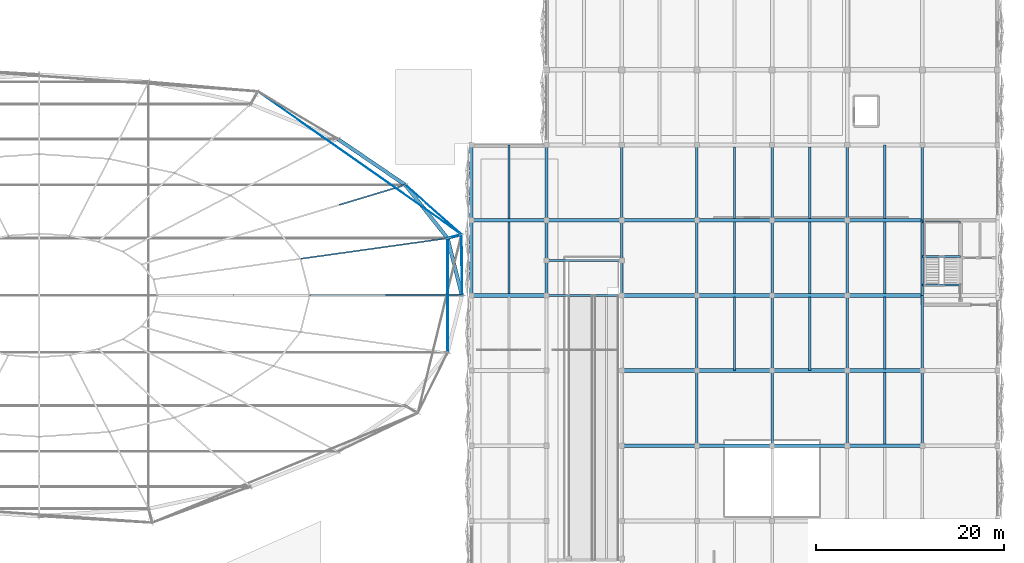
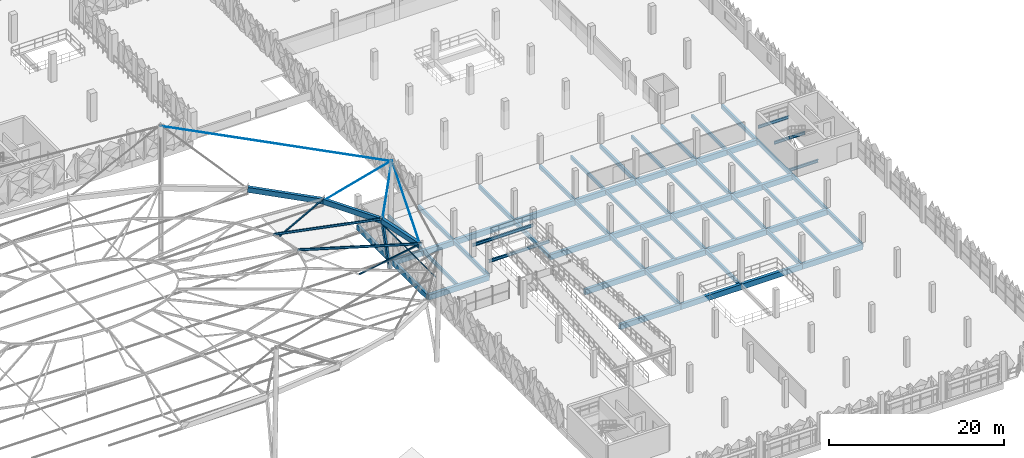
# One storey, part 25 of 96: 63 beams, 8 members.
"""IFC4 building model written with IfcOpenShell, lengths in metres."""

from ifc_helpers import new_model, si_unit, derived_unit, direction, frame, origin, origin_2d, place, context, subcontext, project, spatial, rectangle, hollow_rectangle, circle, i_section, extrude, material, material_profile, profile_set, type_object, element, save


model = new_model("IFC4")

# Units and contexts
model_context = context("Model", 3, precision=1e-05, world=origin(), true_north=direction((0.0, 1.0)))
body_context = subcontext(model_context, "Body", "Model", "MODEL_VIEW")
ifc_project = project(units=[si_unit("LENGTHUNIT", "METRE"), si_unit("AREAUNIT", "SQUARE_METRE"), si_unit("VOLUMEUNIT", "CUBIC_METRE"), si_unit("PLANEANGLEUNIT", "RADIAN"), si_unit("MASSUNIT", "GRAM", prefix="KILO"), si_unit("THERMODYNAMICTEMPERATUREUNIT", "KELVIN"), derived_unit("THERMALTRANSMITTANCEUNIT", [(si_unit("POWERUNIT", "WATT"), 1), (si_unit("AREAUNIT", "SQUARE_METRE"), -1), (si_unit("THERMODYNAMICTEMPERATUREUNIT", "KELVIN"), -1)])], contexts=[model_context])

# Site, building, storey
site_placement = place(None, origin())
site = spatial("IfcSite", under=ifc_project, at=site_placement, CompositionType="ELEMENT")
building_placement = place(site_placement, origin())
building = spatial("IfcBuilding", under=site, at=building_placement, Name="Haiyu Intermodal Mobility Hub", CompositionType="ELEMENT")
storey_placement = place(building_placement, frame((0.0, 0.0, 9.5)))
storey = spatial("IfcBuildingStorey", under=building, at=storey_placement, Name="L02", CompositionType="ELEMENT", Elevation=9.5)

# Beams
ifc_material_1 = material(Name="Concrete C40", Category="concrete")
ifc_material_profile_1 = material_profile(ifc_material_1, rectangle(XDim=0.39990234375, YDim=0.75, at=origin_2d()), Name="RCB400x750")
ifc_profile_set_1 = profile_set([ifc_material_profile_1], Name="Concrete C40")
beam_type_1 = type_object("IfcBeamType", Name="BM-CB03", PredefinedType="BEAM", material=ifc_profile_set_1)
for number, where, z_axis, x_axis, name in (
    (1, (170.0, 48.0, -0.635009765625), (1.0, 0.0, 0.0), (0.0, 1.0, 0.0), "BM-V5G-L02-030"),
    (2, (178.0, 48.0, -0.635009765625), (1.0, 0.0, 0.0), (0.0, 1.0, 0.0), "BM-V5G-L02-031"),
    (3, (186.0, 48.0, -0.635009765625), (1.0, 0.0, 0.0), (0.0, 1.0, 0.0), "BM-V5G-L02-032"),
    (4, (194.0, 48.0, -0.635009765625), (1.0, 0.0, 0.0), (0.0, 1.0, 0.0), "BM-V5G-L02-033"),
    (5, (170.0, 56.0, -0.635009765625), (1.0, 0.0, 0.0), (0.0, 1.0, 0.0), "BM-V5G-L02-037"),
    (6, (178.0, 56.0, -0.635009765625), (1.0, 0.0, 0.0), (0.0, 1.0, 0.0), "BM-V5G-L02-038"),
    (7, (186.0, 56.0, -0.635009765625), (1.0, 0.0, 0.0), (0.0, 1.0, 0.0), "BM-V5G-L02-039"),
    (8, (194.0, 56.0, -0.635009765625), (1.0, 0.0, 0.0), (0.0, 1.0, 0.0), "BM-V5G-L02-040"),
    (9, (154.0, 64.0, -0.635009765625), (1.0, 0.0, 0.0), (0.0, 1.0, 0.0), "BM-V5G-L02-042"),
    (10, (170.0, 64.0, -0.635009765625), (1.0, 0.0, 0.0), (0.0, 1.0, 0.0), "BM-V5G-L02-044"),
    (11, (178.0, 64.0, -0.635009765625), (1.0, 0.0, 0.0), (0.0, 1.0, 0.0), "BM-V5G-L02-045"),
    (12, (186.0, 64.0, -0.635009765625), (1.0, 0.0, 0.0), (0.0, 1.0, 0.0), "BM-V5G-L02-046"),
    (13, (194.0, 64.0, -0.635009765625), (1.0, 0.0, 0.0), (0.0, 1.0, 0.0), "BM-V5G-L02-047"),
    (14, (154.0, 72.0, -0.635009765625), (1.0, 0.0, 0.0), (0.0, 1.0, 0.0), "BM-V5G-L02-049"),
    (15, (162.0, 72.0, -0.635009765625), (1.0, 0.0, 0.0), (0.0, 1.0, 0.0), "BM-V5G-L02-050"),
    (16, (170.0, 72.0, -0.635009765625), (1.0, 0.0, 0.0), (0.0, 1.0, 0.0), "BM-V5G-L02-051"),
    (17, (178.0, 72.0, -0.635009765625), (1.0, 0.0, 0.0), (0.0, 1.0, 0.0), "BM-V5G-L02-052"),
    (18, (186.0, 72.0, -0.635009765625), (1.0, 0.0, 0.0), (0.0, 1.0, 0.0), "BM-V5G-L02-053"),
    (19, (194.0, 72.0, -0.635009765625), (1.0, 0.0, 0.0), (0.0, 1.0, 0.0), "BM-V5G-L02-054"),
):
    element("IfcBeam", number, at=place(storey_placement, frame(where, z_axis=z_axis, x_axis=x_axis)), inside=storey, type_object=beam_type_1, Name=name, PredefinedType="BEAM", context=body_context, shape_type="SweptSolid", body=[
        extrude(rectangle(XDim=0.39990234375, YDim=0.75, at=origin_2d()), origin(), (0.0, 0.0, 1.0), 8.0),
    ])
ifc_material_profile_2 = material_profile(ifc_material_1, rectangle(XDim=0.35009765625, YDim=0.699951171875, at=origin_2d()), Name="RCB350x700")
ifc_profile_set_2 = profile_set([ifc_material_profile_2], Name="Concrete C40")
beam_type_2 = type_object("IfcBeamType", Name="BM-CB06", PredefinedType="BEAM", material=ifc_profile_set_2)
for number, where, z_axis, x_axis, name in (
    (20, (154.0, 64.0, -0.610107421875), (0.0, 1.0, 0.0), (-1.0, 0.0, 0.0), "BM-V5T-L02-007"),
    (21, (154.0, 72.0, -0.610107421875), (0.0, 1.0, 0.0), (-1.0, 0.0, 0.0), "BM-V5T-L02-008"),
):
    element("IfcBeam", number, at=place(storey_placement, frame(where, z_axis=z_axis, x_axis=x_axis)), inside=storey, type_object=beam_type_2, Name=name, PredefinedType="BEAM", context=body_context, shape_type="SweptSolid", body=[
        extrude(rectangle(XDim=0.35009765625, YDim=0.699951171875, at=origin_2d()), origin(), (0.0, 0.0, 1.0), 8.0),
    ])
ifc_material_profile_3 = material_profile(ifc_material_1, rectangle(XDim=0.280029296875, YDim=0.5400390625, at=origin_2d()), Name="RCB280x540")
ifc_profile_set_3 = profile_set([ifc_material_profile_3], Name="Concrete C40")
beam_type_3 = type_object("IfcBeamType", Name="BM-CB08", PredefinedType="JOIST", material=ifc_profile_set_3)
for number, where, z_axis, x_axis, name in (
    (22, (162.0, 64.0, -0.530029296875), (0.0, 1.0, 0.0), (-1.0, 0.0, 0.0), "BM-V5T-L02-015"),
    (23, (162.0, 72.0, -0.530029296875), (0.0, 1.0, 0.0), (-1.0, 0.0, 0.0), "BM-V5T-L02-016"),
    (24, (170.0, 64.0, -0.530029296875), (0.0, 1.0, 0.0), (-1.0, 0.0, 0.0), "BM-V5T-L02-023"),
    (25, (170.0, 72.0, -0.530029296875), (0.0, 1.0, 0.0), (-1.0, 0.0, 0.0), "BM-V5T-L02-024"),
    (26, (178.0, 48.0, -0.530029296875), (0.0, 1.0, 0.0), (-1.0, 0.0, 0.0), "BM-V5T-L02-029"),
    (27, (178.0, 56.0, -0.530029296875), (0.0, 1.0, 0.0), (-1.0, 0.0, 0.0), "BM-V5T-L02-030"),
    (28, (178.0, 64.0, -0.530029296875), (0.0, 1.0, 0.0), (-1.0, 0.0, 0.0), "BM-V5T-L02-031"),
    (29, (178.0, 72.0, -0.530029296875), (0.0, 1.0, 0.0), (-1.0, 0.0, 0.0), "BM-V5T-L02-032"),
    (30, (186.0, 48.0, -0.530029296875), (0.0, 1.0, 0.0), (-1.0, 0.0, 0.0), "BM-V5T-L02-037"),
    (31, (186.0, 56.0, -0.530029296875), (0.0, 1.0, 0.0), (-1.0, 0.0, 0.0), "BM-V5T-L02-038"),
    (32, (186.0, 64.0, -0.530029296875), (0.0, 1.0, 0.0), (-1.0, 0.0, 0.0), "BM-V5T-L02-039"),
    (33, (186.0, 72.0, -0.530029296875), (0.0, 1.0, 0.0), (-1.0, 0.0, 0.0), "BM-V5T-L02-040"),
    (34, (194.0, 48.0, -0.530029296875), (0.0, 1.0, 0.0), (-1.0, 0.0, 0.0), "BM-V5T-L02-045"),
    (35, (194.0, 56.0, -0.530029296875), (0.0, 1.0, 0.0), (-1.0, 0.0, 0.0), "BM-V5T-L02-046"),
    (36, (194.0, 64.0, -0.530029296875), (0.0, 1.0, 0.0), (-1.0, 0.0, 0.0), "BM-V5T-L02-047"),
    (37, (194.0, 72.0, -0.530029296875), (0.0, 1.0, 0.0), (-1.0, 0.0, 0.0), "BM-V5T-L02-048"),
    (38, (202.0, 48.0, -0.530029296875), (0.0, 1.0, 0.0), (-1.0, 0.0, 0.0), "BM-V5T-L02-053"),
    (39, (202.0, 56.0, -0.530029296875), (0.0, 1.0, 0.0), (-1.0, 0.0, 0.0), "BM-V5T-L02-054"),
    (40, (202.0, 64.0, -0.530029296875), (0.0, 1.0, 0.0), (-1.0, 0.0, 0.0), "BM-V5T-L02-055"),
    (41, (202.0, 72.0, -0.530029296875), (0.0, 1.0, 0.0), (-1.0, 0.0, 0.0), "BM-V5T-L02-056"),
):
    element("IfcBeam", number, at=place(storey_placement, frame(where, z_axis=z_axis, x_axis=x_axis)), inside=storey, type_object=beam_type_3, Name=name, PredefinedType="JOIST", context=body_context, shape_type="SweptSolid", body=[
        extrude(rectangle(XDim=0.280029296875, YDim=0.5400390625, at=origin_2d()), origin(), (0.0, 0.0, 1.0), 8.0),
    ])
ifc_material_profile_4 = material_profile(ifc_material_1, rectangle(XDim=0.25, YDim=0.47998046875, at=origin_2d()), Name="RCB250x480")
ifc_profile_set_4 = profile_set([ifc_material_profile_4], Name="Concrete C40")
beam_type_4 = type_object("IfcBeamType", Name="BM-CB09", PredefinedType="JOIST", material=ifc_profile_set_4)
beam_1_placement = place(storey_placement, frame((158.0, 64.18505859375, -0.5), z_axis=(0.0, 1.0, 0.0), x_axis=(-1.0, 0.0, 0.0)))
element("IfcBeam", 42, at=beam_1_placement, inside=storey, type_object=beam_type_4, Name="BM-V5J-L02-007", PredefinedType="JOIST", context=body_context, shape_type="SweptSolid", body=[
    extrude(rectangle(XDim=0.25, YDim=0.47998046875, at=origin_2d()), origin(), (0.0, 0.0, 1.0), 7.6298828125),
])
for number, where, z_axis, x_axis, name in (
    (43, (158.0, 72.18505859375, -0.5), (0.0, 1.0, 0.0), (-1.0, 0.0, 0.0), "BM-V5J-L02-008"),
    (44, (182.0, 56.0, -0.5), (0.0, 1.0, 0.0), (-1.0, 0.0, 0.0), "BM-V5J-L02-012"),
):
    element("IfcBeam", number, at=place(storey_placement, frame(where, z_axis=z_axis, x_axis=x_axis)), inside=storey, type_object=beam_type_4, Name=name, PredefinedType="JOIST", context=body_context, shape_type="SweptSolid", body=[
        extrude(rectangle(XDim=0.25, YDim=0.47998046875, at=origin_2d()), origin(), (0.0, 0.0, 1.0), 7.81494140625),
    ])
for number, where, z_axis, x_axis, name in (
    (45, (182.0, 64.18505859375, -0.5), (0.0, 1.0, 0.0), (-1.0, 0.0, 0.0), "BM-V5J-L02-013"),
    (46, (182.0, 72.18505859375, -0.5), (0.0, 1.0, 0.0), (-1.0, 0.0, 0.0), "BM-V5J-L02-014"),
):
    element("IfcBeam", number, at=place(storey_placement, frame(where, z_axis=z_axis, x_axis=x_axis)), inside=storey, type_object=beam_type_4, Name=name, PredefinedType="JOIST", context=body_context, shape_type="SweptSolid", body=[
        extrude(rectangle(XDim=0.25, YDim=0.47998046875, at=origin_2d()), origin(), (0.0, 0.0, 1.0), 7.6298828125),
    ])
beam_2_placement = place(storey_placement, frame((190.0, 56.0, -0.5), z_axis=(0.0, 1.0, 0.0), x_axis=(-1.0, 0.0, 0.0)))
element("IfcBeam", 47, at=beam_2_placement, inside=storey, type_object=beam_type_4, Name="BM-V5J-L02-018", PredefinedType="JOIST", context=body_context, shape_type="SweptSolid", body=[
    extrude(rectangle(XDim=0.25, YDim=0.47998046875, at=origin_2d()), origin(), (0.0, 0.0, 1.0), 7.81494140625),
])
for number, where, z_axis, x_axis, name in (
    (48, (190.0, 64.18505859375, -0.5), (0.0, 1.0, 0.0), (-1.0, 0.0, 0.0), "BM-V5J-L02-019"),
    (49, (190.0, 72.18505859375, -0.5), (0.0, 1.0, 0.0), (-1.0, 0.0, 0.0), "BM-V5J-L02-020"),
    (50, (198.0, 48.18505859375, -0.5), (0.0, 1.0, 0.0), (-1.0, 0.0, 0.0), "BM-V5J-L02-025"),
    (51, (198.0, 56.18505859375, -0.5), (0.0, 1.0, 0.0), (-1.0, 0.0, 0.0), "BM-V5J-L02-026"),
    (52, (198.0, 64.18505859375, -0.5), (0.0, 1.0, 0.0), (-1.0, 0.0, 0.0), "BM-V5J-L02-027"),
):
    element("IfcBeam", number, at=place(storey_placement, frame(where, z_axis=z_axis, x_axis=x_axis)), inside=storey, type_object=beam_type_4, Name=name, PredefinedType="JOIST", context=body_context, shape_type="SweptSolid", body=[
        extrude(rectangle(XDim=0.25, YDim=0.47998046875, at=origin_2d()), origin(), (0.0, 0.0, 1.0), 7.6298828125),
    ])
beam_3_placement = place(storey_placement, frame((198.0, 72.18505859375, -0.5), z_axis=(0.0, 1.0, 0.0), x_axis=(-1.0, 0.0, 0.0)))
element("IfcBeam", 53, at=beam_3_placement, inside=storey, type_object=beam_type_4, Name="BM-V5J-L02-028", PredefinedType="JOIST", context=body_context, shape_type="SweptSolid", body=[
    extrude(rectangle(XDim=0.25, YDim=0.47998046875, at=origin_2d()), origin(), (0.0, 0.0, 1.0), 7.81494140625),
])
ifc_material_2 = material(Name="Steel Q355C", Category="steel")
ifc_material_profile_5 = material_profile(ifc_material_2, hollow_rectangle(XDim=0.39990234375, YDim=0.699951171875, WallThickness=0.02197265625, at=origin_2d()), Name="RHS700x400x22")
ifc_profile_set_5 = profile_set([ifc_material_profile_5], Name="Steel Q355C")
beam_type_5 = type_object("IfcBeamType", Name="BM-SB01", PredefinedType="BEAM", material=ifc_profile_set_5)
beam_4_placement = place(storey_placement, frame((153.0, 64.0, 6.89990234375), z_axis=(-0.244082052934, 0.968398168927, 0.051273168947), x_axis=(-0.969673613579, -0.244403525195, 0.0)))
element("IfcBeam", 54, at=beam_4_placement, inside=storey, type_object=beam_type_5, Name="Compression Ring Chord RB-01", PredefinedType="BEAM", context=body_context, shape_type="SweptSolid", body=[
    extrude(hollow_rectangle(XDim=0.39990234375, YDim=0.699951171875, WallThickness=0.02197265625, at=origin_2d()), origin(), (0.0, 0.0, 1.0), 6.280517578125),
])
beam_5_placement = place(storey_placement, frame((151.467041015625, 70.08203125, 7.221923828125), z_axis=(-0.616934937857, 0.777734661017, 0.120499292543), x_axis=(-0.783443288642, -0.621463284098, 0.0)))
element("IfcBeam", 55, at=beam_5_placement, inside=storey, type_object=beam_type_5, Name="Compression Ring Chord RB-02", PredefinedType="BEAM", context=body_context, shape_type="SweptSolid", body=[
    extrude(hollow_rectangle(XDim=0.39990234375, YDim=0.699951171875, WallThickness=0.02197265625, at=origin_2d()), origin(), (0.0, 0.0, 1.0), 7.287841796875),
])
beam_6_placement = place(storey_placement, frame((146.970947265625, 75.75, 8.10009765625), z_axis=(-0.818851357325, 0.557316552006, 0.137407115782), x_axis=(-0.562653513917, -0.826692822805, 0.0)))
element("IfcBeam", 56, at=beam_6_placement, inside=storey, type_object=beam_type_5, Name="Compression Ring Chord RB-03", PredefinedType="BEAM", context=body_context, shape_type="SweptSolid", body=[
    extrude(hollow_rectangle(XDim=0.39990234375, YDim=0.699951171875, WallThickness=0.02197265625, at=origin_2d()), origin(), (0.0, 0.0, 1.0), 8.73291015625),
])
ifc_material_profile_6 = material_profile(ifc_material_2, i_section(OverallWidth=0.199951171875, OverallDepth=0.39990234375, WebThickness=0.008056640625, FlangeThickness=0.012939453125, FilletRadius=0.01611328125, at=origin_2d()), Name="HN400x200x8x13")
ifc_profile_set_6 = profile_set([ifc_material_profile_6], Name="Steel Q355C")
beam_type_6 = type_object("IfcBeamType", Name="BM-SB08", PredefinedType="JOIST", material=ifc_profile_set_6)
for number, where, z_axis, x_axis, name in (
    (57, (162.0, 64.0, 1.5400390625), (1.0, 0.0, 0.0), (0.0, 1.0, 0.0), "BM-BRMP1-L02"),
    (58, (162.0, 67.699951171875, 1.5400390625), (1.0, 0.0, 0.0), (0.0, 1.0, 0.0), "BM-BRMP2-L02"),
):
    element("IfcBeam", number, at=place(storey_placement, frame(where, z_axis=z_axis, x_axis=x_axis)), inside=storey, type_object=beam_type_6, Name=name, PredefinedType="JOIST", context=body_context, shape_type="SweptSolid", body=[
        extrude(i_section(OverallWidth=0.199951171875, OverallDepth=0.39990234375, WebThickness=0.008056640625, FlangeThickness=0.012939453125, FilletRadius=0.01611328125, at=origin_2d()), origin(), (0.0, 0.0, 1.0), 8.0),
    ])
for number, where, z_axis, x_axis, name in (
    (59, (202.0, 65.10009765625, -0.52490234375), (1.0, 0.0, 0.0), (0.0, 1.0, 0.0), "Stair Arrival Trimmer Beam C9-L01"),
    (60, (202.0, 68.1298828125, 1.52490234375), (1.0, 0.0, 0.0), (0.0, 1.0, 0.0), "Stair Half-Landing Front Beam C9-L02"),
    (61, (202.0, 71.780029296875, 1.52490234375), (1.0, 0.0, 0.0), (0.0, 1.0, 0.0), "Stair Half-Landing Rear Beam C9-L02"),
):
    element("IfcBeam", number, at=place(storey_placement, frame(where, z_axis=z_axis, x_axis=x_axis)), inside=storey, type_object=beam_type_6, Name=name, PredefinedType="JOIST", context=body_context, shape_type="SweptSolid", body=[
        extrude(i_section(OverallWidth=0.199951171875, OverallDepth=0.39990234375, WebThickness=0.008056640625, FlangeThickness=0.012939453125, FilletRadius=0.01611328125, at=origin_2d()), origin(), (0.0, 0.0, 1.0), 4.050048828125),
    ])
ifc_material_profile_7 = material_profile(ifc_material_2, i_section(OverallWidth=0.14990234375, OverallDepth=0.300048828125, WebThickness=0.006591796875, FlangeThickness=0.009033203125, FilletRadius=0.012939453125, at=origin_2d()), Name="HN300x150x6.5x9")
ifc_profile_set_7 = profile_set([ifc_material_profile_7], Name="Steel Q355C")
beam_type_7 = type_object("IfcBeamType", Name="BM-SB10-INT", PredefinedType="JOIST", material=ifc_profile_set_7)
beam_7_placement = place(storey_placement, frame((153.0, 64.0, 7.137939453125), z_axis=(-0.958604053701, 0.0, 0.284742459475), x_axis=(0.0, -1.0, 0.0)))
element("IfcBeam", 62, at=beam_7_placement, inside=storey, type_object=beam_type_7, Name="BM-SADRAD-049", PredefinedType="JOIST", context=body_context, shape_type="SweptSolid", body=[
    extrude(i_section(OverallWidth=0.14990234375, OverallDepth=0.300048828125, WebThickness=0.006591796875, FlangeThickness=0.009033203125, FilletRadius=0.012939453125, at=origin_2d()), origin(), (0.0, 0.0, 1.0), 16.8994140625),
])
beam_8_placement = place(storey_placement, frame((151.467041015625, 70.08203125, 7.458984375), z_axis=(-0.950521693383, -0.132966853416, 0.280763826554), x_axis=(0.13853933675, -0.990356931703, 0.0)))
element("IfcBeam", 63, at=beam_8_placement, inside=storey, type_object=beam_type_7, Name="BM-SADRAD-051", PredefinedType="JOIST", context=body_context, shape_type="SweptSolid", body=[
    extrude(i_section(OverallWidth=0.14990234375, OverallDepth=0.300048828125, WebThickness=0.006591796875, FlangeThickness=0.009033203125, FilletRadius=0.012939453125, at=origin_2d()), origin(), (0.0, 0.0, 1.0), 16.46240234375),
])

# Members
ifc_material_profile_8 = material_profile(ifc_material_2, hollow_rectangle(XDim=0.300048828125, YDim=0.300048828125, WallThickness=0.011962890625, at=origin_2d()), Name="SHS300x300x12")
ifc_profile_set_8 = profile_set([ifc_material_profile_8], Name="Steel Q355C")
member_type_1 = type_object("IfcMemberType", Name="MEM-BR04", PredefinedType="BRACE", material=ifc_profile_set_8)
member_1_placement = place(storey_placement, frame((152.6259765625, 70.39306640625, 0.0), z_axis=(-0.158304353516, -0.042485727065, 0.986475896641), x_axis=(0.259207261783, -0.965821720318, 0.0)))
element("IfcMember", 64, at=member_1_placement, inside=storey, type_object=member_type_1, Name="Mast Ring Strut MS-01", PredefinedType="BRACE", context=body_context, shape_type="SweptSolid", body=[
    extrude(hollow_rectangle(XDim=0.300048828125, YDim=0.300048828125, WallThickness=0.011962890625, at=origin_2d()), origin(), (0.0, 0.0, 1.0), 7.321044921875),
])
ifc_material_profile_9 = material_profile(ifc_material_2, hollow_rectangle(XDim=0.159912109375, YDim=0.159912109375, WallThickness=0.006103515625, at=origin_2d()), Name="SHS160x160x6")
ifc_profile_set_9 = profile_set([ifc_material_profile_9], Name="Steel Q355C")
member_type_2 = type_object("IfcMemberType", Name="MEM-CH03", PredefinedType="CHORD", material=ifc_profile_set_9)
member_2_placement = place(storey_placement, frame((153.0, 64.0, 7.137939453125), z_axis=(-0.984353775203, 0.0, -0.176203420065), x_axis=(0.0, -1.0, 0.0)))
element("IfcMember", 65, at=member_2_placement, inside=storey, type_object=member_type_2, Name="MEM-SADD1-049", PredefinedType="CHORD", context=body_context, shape_type="SweptSolid", body=[
    extrude(hollow_rectangle(XDim=0.159912109375, YDim=0.159912109375, WallThickness=0.006103515625, at=origin_2d()), origin(), (0.0, 0.0, 1.0), 8.228759765625),
])
member_3_placement = place(storey_placement, frame((146.970947265625, 75.75, 8.337890625), z_axis=(-0.93921536077, -0.283173447616, -0.194132183469), x_axis=(0.288665193348, -0.957430105099, 0.0)))
element("IfcMember", 66, at=member_3_placement, inside=storey, type_object=member_type_2, Name="MEM-SADD1-053", PredefinedType="CHORD", context=body_context, shape_type="SweptSolid", body=[
    extrude(hollow_rectangle(XDim=0.159912109375, YDim=0.159912109375, WallThickness=0.006103515625, at=origin_2d()), origin(), (0.0, 0.0, 1.0), 7.468994140625),
])
ifc_material_3 = material(Name="Galvanized steel cable 1670 MPa", Category="steel")
ifc_material_profile_10 = material_profile(ifc_material_3, circle(Radius=0.047607421875, at=origin_2d()), Name="CABLE95")
ifc_profile_set_10 = profile_set([ifc_material_profile_10], Name="Galvanized steel cable 1670 MPa")
member_type_3 = type_object("IfcMemberType", Name="MEM-TC01", PredefinedType="USERDEFINED", material=ifc_profile_set_10)
member_4_placement = place(storey_placement, frame((151.467041015625, 57.91796875, 6.741943359375), z_axis=(0.0, 1.0, 0.0), x_axis=(-1.0, 0.0, 0.0)))
element("IfcMember", 67, at=member_4_placement, inside=storey, type_object=member_type_3, Name="Cable-Net Tendon CB-NS-001", ObjectType="TENSION CABLE", PredefinedType="USERDEFINED", context=body_context, shape_type="SweptSolid", body=[
    extrude(circle(Radius=0.047607421875, at=origin_2d()), origin(), (0.0, 0.0, 1.0), 12.1640625),
])
ifc_material_profile_11 = material_profile(ifc_material_3, circle(Radius=0.032470703125, at=origin_2d()), Name="CABLE65")
ifc_profile_set_11 = profile_set([ifc_material_profile_11], Name="Galvanized steel cable 1670 MPa")
member_type_4 = type_object("IfcMemberType", Name="MEM-TC03", PredefinedType="USERDEFINED", material=ifc_profile_set_11)
member_5_placement = place(storey_placement, frame((152.964111328125, 70.48291015625, 14.822021484375), z_axis=(0.003505893697, -0.633302729387, -0.773896221506), x_axis=(0.999984677318, 0.005535804307, 0.0)))
element("IfcMember", 68, at=member_5_placement, inside=storey, type_object=member_type_4, Name="Cable-Net Tendon CB-ST-016", ObjectType="TENSION CABLE", PredefinedType="USERDEFINED", context=body_context, shape_type="SweptSolid", body=[
    extrude(circle(Radius=0.032470703125, at=origin_2d()), origin(), (0.0, 0.0, 1.0), 10.236572265625),
])
member_6_placement = place(storey_placement, frame((152.964111328125, 70.48291015625, 14.822021484375), z_axis=(-0.193008299469, -0.05168291385, -0.979835023232), x_axis=(0.258662592822, -0.965967733972, 0.0)))
element("IfcMember", 69, at=member_6_placement, inside=storey, type_object=member_type_4, Name="Cable-Net Tendon CB-ST-017", ObjectType="TENSION CABLE", PredefinedType="USERDEFINED", context=body_context, shape_type="SweptSolid", body=[
    extrude(circle(Radius=0.032470703125, at=origin_2d()), origin(), (0.0, 0.0, 1.0), 7.756591796875),
])
member_7_placement = place(storey_placement, frame((152.964111328125, 70.48291015625, 14.822021484375), z_axis=(-0.574450882091, 0.504855928394, -0.644303248192), x_axis=(-0.660140767014, -0.75114190918, 0.0)))
element("IfcMember", 70, at=member_7_placement, inside=storey, type_object=member_type_4, Name="Cable-Net Tendon CB-ST-018", ObjectType="TENSION CABLE", PredefinedType="USERDEFINED", context=body_context, shape_type="SweptSolid", body=[
    extrude(circle(Radius=0.032470703125, at=origin_2d()), origin(), (0.0, 0.0, 1.0), 10.432861328125),
])
member_8_placement = place(storey_placement, frame((152.964111328125, 70.48291015625, 14.701904296875), z_axis=(-0.812525065734, 0.569844034946, 0.122803881827), x_axis=(-0.574190103897, -0.818722006903, 0.0)))
element("IfcMember", 71, at=member_8_placement, inside=storey, type_object=member_type_4, Name="Cable-Net Tendon CB-RG-019", ObjectType="TENSION CABLE", PredefinedType="USERDEFINED", context=body_context, shape_type="SweptSolid", body=[
    extrude(circle(Radius=0.032470703125, at=origin_2d()), origin(), (0.0, 0.0, 1.0), 26.693603515625),
])

save(model, "model.ifc")
